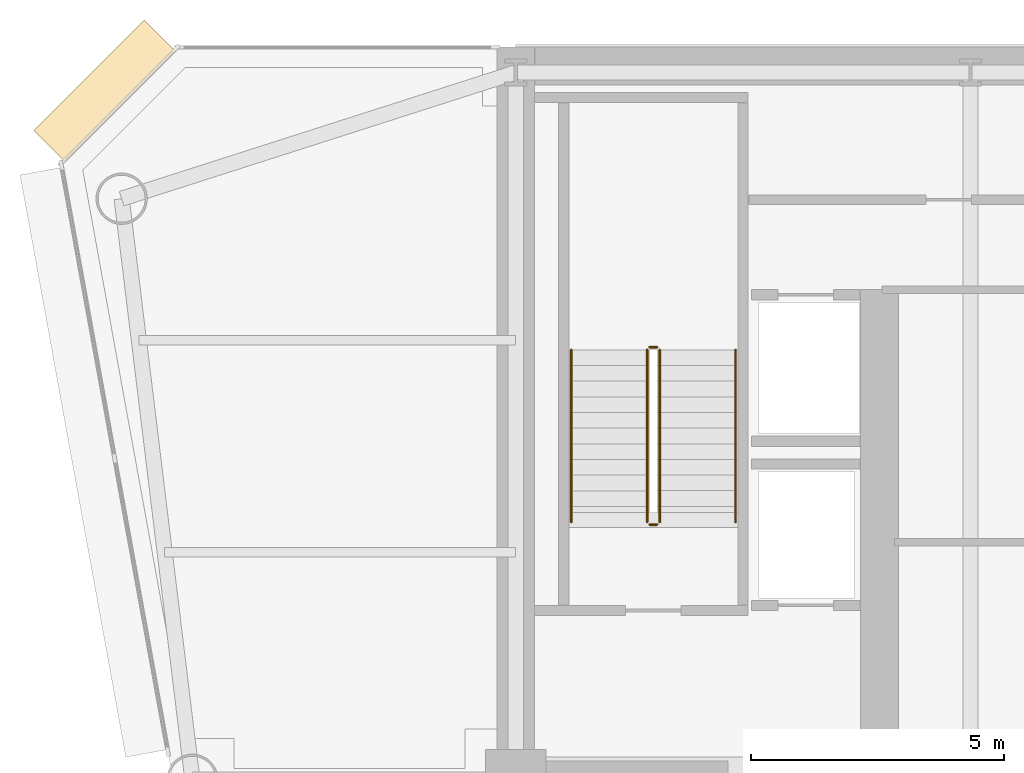
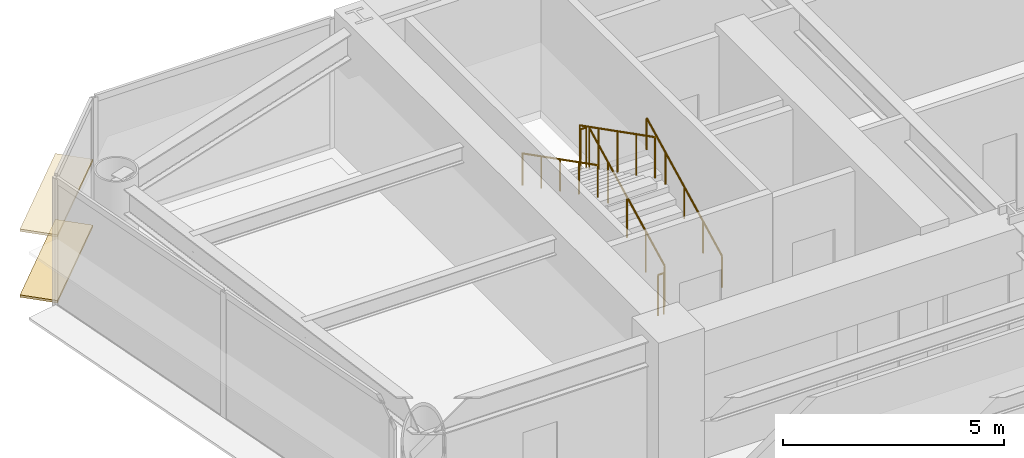
# One storey, part 12 of 14: 6 railings, 2 coverings.
"""IFC4 building model written with IfcOpenShell, lengths in metres."""

from ifc_helpers import new_model, si_unit, direction, frame, origin, origin_2d, place, context, subcontext, project, spatial, rectangle, circle, extrude, source, transform, mapped, material, layer, layer_set, type_object, element, save


model = new_model("IFC4")

# Units and contexts
model_context = context("Model", 3, precision=1e-05, world=origin(), true_north=direction((0.0, 1.0)))
body_context = subcontext(model_context, "Body", "Model", "MODEL_VIEW")
ifc_project = project(units=[si_unit("LENGTHUNIT", "METRE"), si_unit("AREAUNIT", "SQUARE_METRE"), si_unit("VOLUMEUNIT", "CUBIC_METRE"), si_unit("PLANEANGLEUNIT", "RADIAN"), si_unit("MASSUNIT", "GRAM", prefix="KILO")], contexts=[model_context])

# Site, building, storey
site_placement = place(None, origin())
site = spatial("IfcSite", under=ifc_project, at=site_placement, CompositionType="ELEMENT")
building_placement = place(site_placement, origin())
building = spatial("IfcBuilding", under=site, at=building_placement, Name="Vaeldorn Concourse Tower", CompositionType="ELEMENT")
storey_placement = place(building_placement, frame((0.0, 0.0, 133.800048828125)))
storey = spatial("IfcBuildingStorey", under=building, at=storey_placement, Name="L34", CompositionType="ELEMENT", Elevation=133.800048828125)

# Railings
ifc_material = material(Name="Anodised Bronze Aluminium", Category="aluminium")
railing_type_1 = type_object("IfcRailingType", Name="RL-STAIR-GUARD", PredefinedType="GUARDRAIL", material=ifc_material)
railing_1_placement = place(storey_placement, frame((16.85009765625, 41.60009765625, 0.158203125)))
element("IfcRailing", 1, at=railing_1_placement, inside=storey, type_object=railing_type_1, Name="L34 ST-1 stair guard 1", PredefinedType="GUARDRAIL", context=body_context, shape_type="SweptSolid", body=[
    extrude(circle(Radius=0.02392578125, at=origin_2d()), frame((0.0, 0.0, 1.1259765625), z_axis=(0.0, 0.890555807335, 0.454873997962), x_axis=(-1.0, 0.0, 0.0)), (0.0, 0.0, 1.0), 3.828857421875),
    extrude(circle(Radius=0.02099609375, at=origin_2d()), origin(), (0.0, 0.0, 1.0), 1.101806640625),
    extrude(circle(Radius=0.02099609375, at=origin_2d()), frame((0.0, 0.8525390625, 0.435546875)), (0.0, 0.0, 1.0), 1.101806640625),
    extrude(circle(Radius=0.02099609375, at=origin_2d()), frame((0.0, 1.705078125, 0.870849609375)), (0.0, 0.0, 1.0), 1.101806640625),
    extrude(circle(Radius=0.02099609375, at=origin_2d()), frame((0.0, 2.557373046875, 1.30615234375)), (0.0, 0.0, 1.0), 1.101806640625),
    extrude(circle(Radius=0.02099609375, at=origin_2d()), frame((0.0, 3.409912109375, 1.74169921875)), (0.0, 0.0, 1.0), 1.101806640625),
])
railing_2_placement = place(storey_placement, frame((16.800048828125, 45.06005859375, 1.89990234375)))
element("IfcRailing", 2, at=railing_2_placement, inside=storey, type_object=railing_type_1, Name="L34 ST-1 stair guard 2", PredefinedType="GUARDRAIL", context=body_context, shape_type="SweptSolid", body=[
    extrude(circle(Radius=0.02392578125, at=origin_2d()), frame((0.0, 0.0, 1.1259765625), z_axis=(-1.0, 0.0, 0.0), x_axis=(0.0, -1.0, 0.0)), (0.0, 0.0, 1.0), 0.150146484375),
    extrude(circle(Radius=0.02099609375, at=origin_2d()), origin(), (0.0, 0.0, 1.0), 1.101806640625),
    extrude(circle(Radius=0.02099609375, at=origin_2d()), frame((-0.150146484375, 0.0, 0.0)), (0.0, 0.0, 1.0), 1.101806640625),
])
railing_3_placement = place(storey_placement, frame((16.60009765625, 45.010009765625, 2.058349609375)))
element("IfcRailing", 3, at=railing_3_placement, inside=storey, type_object=railing_type_1, Name="L34 ST-1 stair guard 3", PredefinedType="GUARDRAIL", context=body_context, shape_type="SweptSolid", body=[
    extrude(circle(Radius=0.02392578125, at=origin_2d()), frame((0.0, 0.0, 1.1259765625), z_axis=(0.0, -0.890555807335, 0.454873997962), x_axis=(1.0, 0.0, 0.0)), (0.0, 0.0, 1.0), 3.828857421875),
    extrude(circle(Radius=0.02099609375, at=origin_2d()), origin(), (0.0, 0.0, 1.0), 1.101806640625),
    extrude(circle(Radius=0.02099609375, at=origin_2d()), frame((0.0, -0.8525390625, 0.435546875)), (0.0, 0.0, 1.0), 1.101806640625),
    extrude(circle(Radius=0.02099609375, at=origin_2d()), frame((0.0, -1.705078125, 0.870849609375)), (0.0, 0.0, 1.0), 1.101806640625),
    extrude(circle(Radius=0.02099609375, at=origin_2d()), frame((0.0, -2.557373046875, 1.30615234375)), (0.0, 0.0, 1.0), 1.101806640625),
    extrude(circle(Radius=0.02099609375, at=origin_2d()), frame((0.0, -3.409912109375, 1.74169921875)), (0.0, 0.0, 1.0), 1.101806640625),
])
railing_4_placement = place(storey_placement, frame((16.800048828125, 41.550048828125, 0.0)))
element("IfcRailing", 4, at=railing_4_placement, inside=storey, type_object=railing_type_1, Name="L34 ST-1 stair guard 4", PredefinedType="GUARDRAIL", context=body_context, shape_type="SweptSolid", body=[
    extrude(circle(Radius=0.02392578125, at=origin_2d()), frame((0.0, 0.0, 1.1259765625), z_axis=(-1.0, 0.0, 0.0), x_axis=(0.0, -1.0, 0.0)), (0.0, 0.0, 1.0), 0.150146484375),
    extrude(circle(Radius=0.02099609375, at=origin_2d()), origin(), (0.0, 0.0, 1.0), 1.101806640625),
    extrude(circle(Radius=0.02099609375, at=origin_2d()), frame((-0.150146484375, 0.0, 0.0)), (0.0, 0.0, 1.0), 1.101806640625),
])
railing_type_2 = type_object("IfcRailingType", Name="RL-STAIR-HANDRAIL", PredefinedType="HANDRAIL", material=ifc_material)
railing_5_placement = place(storey_placement, frame((18.35009765625, 41.60009765625, 0.158203125)))
element("IfcRailing", 5, at=railing_5_placement, inside=storey, type_object=railing_type_2, Name="L34 ST-1 stair handrail 1", PredefinedType="HANDRAIL", context=body_context, shape_type="SweptSolid", body=[
    extrude(circle(Radius=0.02392578125, at=origin_2d()), frame((0.0, 0.0, 0.8759765625), z_axis=(0.0, 0.890555807335, 0.454873997962), x_axis=(-1.0, 0.0, 0.0)), (0.0, 0.0, 1.0), 3.828857421875),
    extrude(circle(Radius=0.02099609375, at=origin_2d()), origin(), (0.0, 0.0, 1.0), 0.851806640625),
    extrude(circle(Radius=0.02099609375, at=origin_2d()), frame((0.0, 0.8525390625, 0.435546875)), (0.0, 0.0, 1.0), 0.851806640625),
    extrude(circle(Radius=0.02099609375, at=origin_2d()), frame((0.0, 1.705078125, 0.870849609375)), (0.0, 0.0, 1.0), 0.851806640625),
    extrude(circle(Radius=0.02099609375, at=origin_2d()), frame((0.0, 2.557373046875, 1.30615234375)), (0.0, 0.0, 1.0), 0.851806640625),
    extrude(circle(Radius=0.02099609375, at=origin_2d()), frame((0.0, 3.409912109375, 1.74169921875)), (0.0, 0.0, 1.0), 0.851806640625),
])
railing_6_placement = place(storey_placement, frame((15.10009765625, 45.010009765625, 2.058349609375)))
element("IfcRailing", 6, at=railing_6_placement, inside=storey, type_object=railing_type_2, Name="L34 ST-1 stair handrail 2", PredefinedType="HANDRAIL", context=body_context, shape_type="SweptSolid", body=[
    extrude(circle(Radius=0.02392578125, at=origin_2d()), frame((0.0, 0.0, 0.8759765625), z_axis=(0.0, -0.890555807335, 0.454873997962), x_axis=(1.0, 0.0, 0.0)), (0.0, 0.0, 1.0), 3.828857421875),
    extrude(circle(Radius=0.02099609375, at=origin_2d()), origin(), (0.0, 0.0, 1.0), 0.851806640625),
    extrude(circle(Radius=0.02099609375, at=origin_2d()), frame((0.0, -0.8525390625, 0.435546875)), (0.0, 0.0, 1.0), 0.851806640625),
    extrude(circle(Radius=0.02099609375, at=origin_2d()), frame((0.0, -1.705078125, 0.870849609375)), (0.0, 0.0, 1.0), 0.851806640625),
    extrude(circle(Radius=0.02099609375, at=origin_2d()), frame((0.0, -2.557373046875, 1.30615234375)), (0.0, 0.0, 1.0), 0.851806640625),
    extrude(circle(Radius=0.02099609375, at=origin_2d()), frame((0.0, -3.409912109375, 1.74169921875)), (0.0, 0.0, 1.0), 0.851806640625),
])

# Coverings
ifc_layer = layer(ifc_material, 0.06494140625)
ifc_layer_set = layer_set([ifc_layer], Name="Anodised Bronze Aluminium")
covering_type = type_object("IfcCoveringType", Name="SD-BRONZE-SUNSHADE", PredefinedType="USERDEFINED", material=ifc_layer_set)
shared_shape = source(origin(), body_context, "Body", "SweptSolid", [
    extrude(rectangle(XDim=3.0927734375, YDim=0.8798828125, at=origin_2d()), origin(), (0.0, 0.0, 1.0), 0.06494140625),
])
for number, where, z_axis, x_axis, name in (
    (7, (5.8671875, 50.1328125, 0.04736328125), (0.0, 0.0, 1.0), (-0.707106781187, -0.707106781187, 0.0), "Horizontal Bronze Sunshade L34-E10.1.1"),
    (8, (5.8671875, 50.1328125, 1.867431640625), (0.0, 0.0, 1.0), (-0.707106781187, -0.707106781187, 0.0), "Horizontal Bronze Sunshade L34-E10.1.2"),
):
    element("IfcCovering", number, at=place(storey_placement, frame(where, z_axis=z_axis, x_axis=x_axis)), inside=storey, type_object=covering_type, Name=name, ObjectType="SUNSHADE", PredefinedType="USERDEFINED", context=body_context, shape_type="MappedRepresentation", body=[
        mapped(shared_shape, transform((0.0, 0.0, 0.0), scale=1.0)),
    ])

save(model, "model.ifc")
